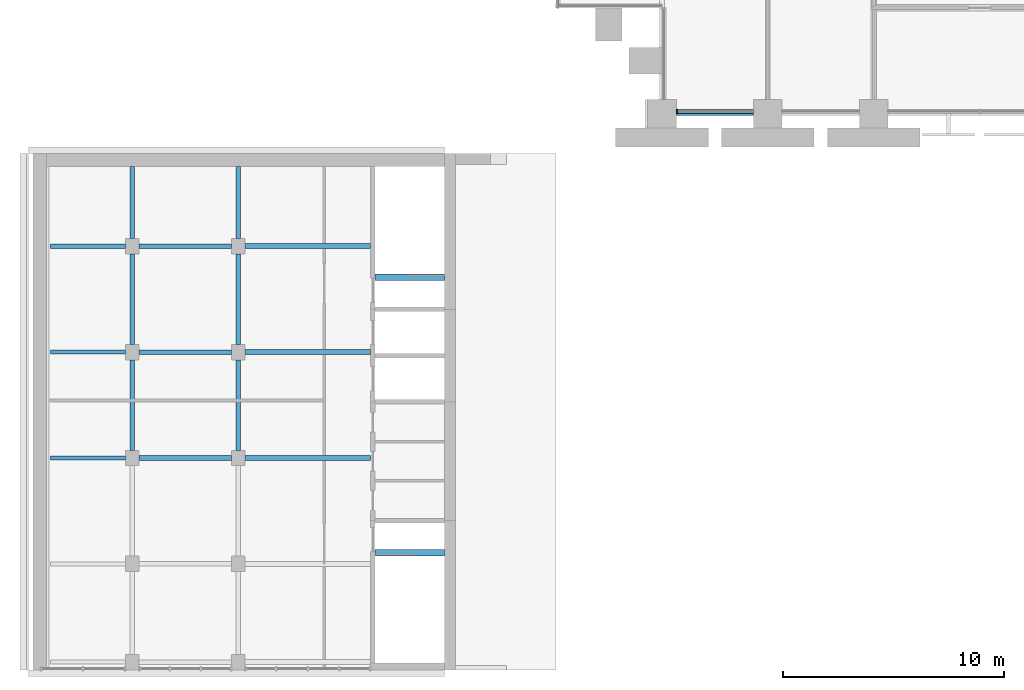
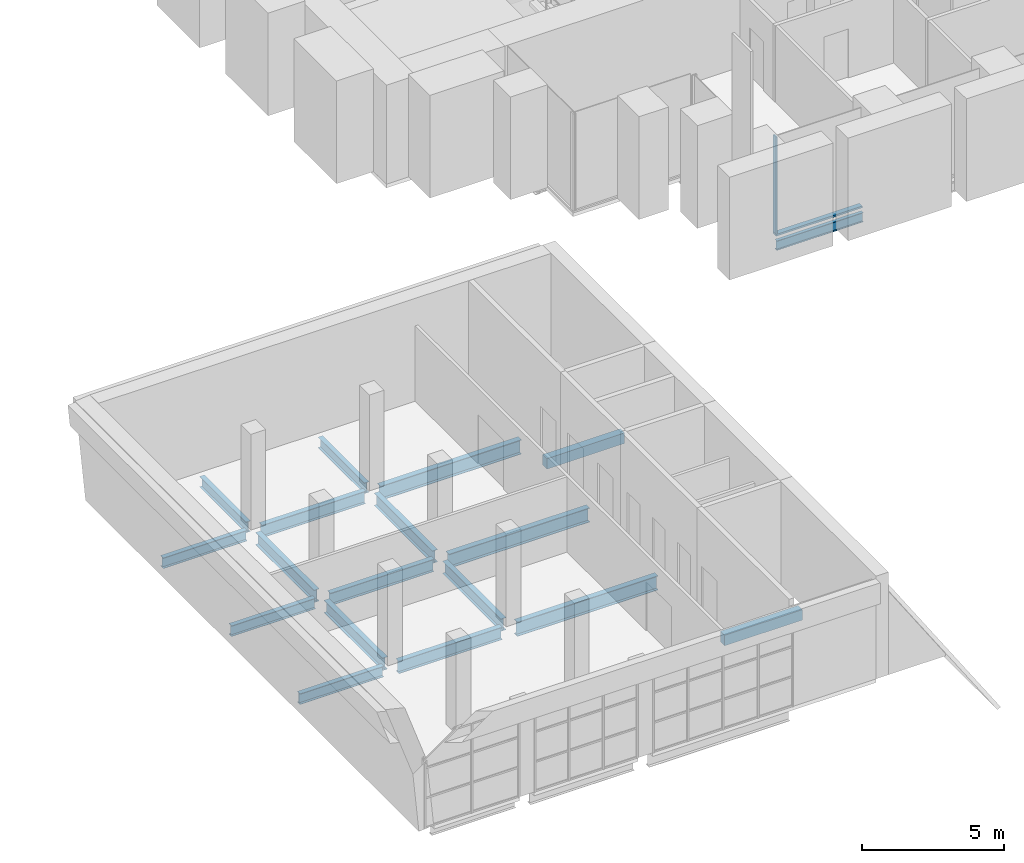
# One storey, part 4 of 22: 18 beams, 2 members, 1 element without a shape of its own.
"""IFC4 building model written with IfcOpenShell, lengths in metres."""

from ifc_helpers import new_model, si_unit, direction, frame, origin, origin_2d, place, context, subcontext, project, spatial, rectangle, i_section, extrude, material, material_profile, profile_set, type_object, element, aggregate, save


model = new_model("IFC4")

# Units and contexts
model_context = context("Model", 3, precision=1e-05, world=origin(), true_north=direction((0.0, 1.0)))
body_context = subcontext(model_context, "Body", "Model", "MODEL_VIEW")
ifc_project = project(units=[si_unit("LENGTHUNIT", "METRE"), si_unit("AREAUNIT", "SQUARE_METRE"), si_unit("VOLUMEUNIT", "CUBIC_METRE"), si_unit("PLANEANGLEUNIT", "RADIAN"), si_unit("MASSUNIT", "GRAM", prefix="KILO")], contexts=[model_context])

# Site, building, storey
site_placement = place(None, origin())
site = spatial("IfcSite", under=ifc_project, at=site_placement, CompositionType="ELEMENT")
building_placement = place(site_placement, origin())
building = spatial("IfcBuilding", under=site, at=building_placement, Name="Baori Bourse Tower", CompositionType="ELEMENT")
storey_placement = place(building_placement, frame((0.0, 0.0, 25.800048828125)))
storey = spatial("IfcBuildingStorey", under=building, at=storey_placement, Name="L04", CompositionType="ELEMENT", Elevation=25.800048828125)

# Curtain wall, members
ifc_material_1 = material(Name="Pale anodised aluminium", Category="aluminium")
curtain_wall_type = type_object("IfcCurtainWallType", Name="CW1 Curtain wall", PredefinedType="NOTDEFINED", material=ifc_material_1)
curtain_wall_placement = place(storey_placement, origin())
curtain_wall = element("IfcCurtainWall", 1, at=curtain_wall_placement, inside=storey, type_object=curtain_wall_type, Name="Curtain wall CW1 L04 11", PredefinedType="NOTDEFINED")
ifc_material_2 = material(Name="Pale anodised aluminium", Category="aluminium")
ifc_material_profile_1 = material_profile(ifc_material_2, rectangle(XDim=0.199951171875, YDim=0.06005859375, at=origin_2d()), Name="Mullion 60x200")
ifc_profile_set_1 = profile_set([ifc_material_profile_1], Name="Pale anodised aluminium")
member_type_1 = type_object("IfcMemberType", Name="CW1 Curtain wall mullion", PredefinedType="MULLION", material=ifc_profile_set_1)
member_1_placement = place(storey_placement, frame((10.280029296875, 0.10009765625, 0.079833984375), z_axis=(0.0, 0.0, 1.0), x_axis=(0.0, 1.0, 0.0)))
member_1 = element("IfcMember", 2, at=member_1_placement, type_object=member_type_1, Name="Curtain wall CW1 mullion", PredefinedType="MULLION", context=body_context, shape_type="SweptSolid", body=[
    extrude(rectangle(XDim=0.199951171875, YDim=0.06005859375, at=origin_2d()), origin(), (0.0, 0.0, 1.0), 4.16015625),
])
ifc_material_3 = material(Name="Pale anodised aluminium", Category="aluminium")
ifc_material_profile_2 = material_profile(ifc_material_3, rectangle(XDim=0.199951171875, YDim=0.080078125, at=origin_2d()), Name="Transom 80x200")
ifc_profile_set_2 = profile_set([ifc_material_profile_2], Name="Pale anodised aluminium")
member_type_2 = type_object("IfcMemberType", Name="CW1 Curtain wall transom", PredefinedType="USERDEFINED", material=ifc_profile_set_2)
member_2_placement = place(storey_placement, frame((10.25, 0.10009765625, 0.0400390625), z_axis=(1.0, 0.0, 0.0), x_axis=(0.0, 1.0, 0.0)))
member_2 = element("IfcMember", 3, at=member_2_placement, type_object=member_type_2, Name="Curtain wall CW1 sill rail", ObjectType="TRANSOM", PredefinedType="USERDEFINED", context=body_context, shape_type="SweptSolid", body=[
    extrude(rectangle(XDim=0.199951171875, YDim=0.080078125, at=origin_2d()), origin(), (0.0, 0.0, 1.0), 3.5),
])
aggregate(curtain_wall, [member_2, member_1])

# Beams
ifc_material_4 = material(Name="Steel A992 Gr 50", Category="steel")
ifc_material_profile_3 = material_profile(ifc_material_4, i_section(OverallWidth=0.140380859375, OverallDepth=0.40380859375, WebThickness=0.007080078125, FlangeThickness=0.01123046875, at=origin_2d()), Name="W16x31")
ifc_profile_set_3 = profile_set([ifc_material_profile_3], Name="Steel A992 Gr 50")
beam_type_1 = type_object("IfcBeamType", Name="Edge beam W16x31", PredefinedType="BEAM", material=ifc_profile_set_3)
beam_1_placement = place(storey_placement, frame((10.25, 0.0, -0.362060546875), z_axis=(1.0, 0.0, 0.0), x_axis=(0.0, 1.0, 0.0)))
element("IfcBeam", 4, at=beam_1_placement, inside=storey, type_object=beam_type_1, Name="Edge beam L04", PredefinedType="BEAM", context=body_context, shape_type="SweptSolid", body=[
    extrude(i_section(OverallWidth=0.140380859375, OverallDepth=0.40380859375, WebThickness=0.007080078125, FlangeThickness=0.01123046875, at=origin_2d()), origin(), (0.0, 0.0, 1.0), 3.5),
])
ifc_material_5 = material(Name="Concrete f'c 40 MPa", Category="concrete")
ifc_material_profile_4 = material_profile(ifc_material_5, rectangle(XDim=0.300048828125, YDim=0.449951171875, at=origin_2d()), Name="Stair trimmer beam 300x450")
ifc_profile_set_4 = profile_set([ifc_material_profile_4], Name="Concrete f'c 40 MPa")
beam_type_2 = type_object("IfcBeamType", Name="Stair trimmer beam 300x450", PredefinedType="BEAM", material=ifc_profile_set_4)
for number, where, z_axis, x_axis, name in (
    (5, (-0.25, -7.409912109375, -0.385009765625), (-1.0, 0.0, 0.0), (0.0, -1.0, 0.0), "wing/L04/Wtrimmer/001"),
    (6, (-3.39990234375, -19.889892578125, -0.385009765625), (1.0, 0.0, 0.0), (0.0, 1.0, 0.0), "wing/L04/Wtrimmer/002"),
):
    element("IfcBeam", number, at=place(storey_placement, frame(where, z_axis=z_axis, x_axis=x_axis)), inside=storey, type_object=beam_type_2, Name=name, PredefinedType="BEAM", context=body_context, shape_type="SweptSolid", body=[
        extrude(rectangle(XDim=0.300048828125, YDim=0.449951171875, at=origin_2d()), origin(), (0.0, 0.0, 1.0), 3.14990234375),
    ])
ifc_material_6 = material(Name="Steel A992 Gr 50", Category="steel")
ifc_material_profile_5 = material_profile(ifc_material_6, i_section(OverallWidth=0.1904296875, OverallDepth=0.457275390625, WebThickness=0.009033203125, FlangeThickness=0.014404296875, at=origin_2d()), Name="W18x50")
ifc_profile_set_5 = profile_set([ifc_material_profile_5], Name="Steel A992 Gr 50")
beam_type_3 = type_object("IfcBeamType", Name="Wing beam W18x50", PredefinedType="BEAM", material=ifc_profile_set_5)
for number, where, z_axis, x_axis, name in (
    (7, (-18.100341796875, -15.60009765625, -0.388671875), (1.0, 0.0, 0.0), (0.0, 1.0, 0.0), "wing/L04/Wbeam/007"),
    (8, (-18.100341796875, -10.800048828125, -0.388671875), (1.0, 0.0, 0.0), (0.0, 1.0, 0.0), "wing/L04/Wbeam/010"),
    (9, (-18.100341796875, -6.0, -0.388671875), (1.0, 0.0, 0.0), (0.0, 1.0, 0.0), "wing/L04/Wbeam/013"),
):
    element("IfcBeam", number, at=place(storey_placement, frame(where, z_axis=z_axis, x_axis=x_axis)), inside=storey, type_object=beam_type_3, Name=name, PredefinedType="BEAM", context=body_context, shape_type="SweptSolid", body=[
        extrude(i_section(OverallWidth=0.1904296875, OverallDepth=0.457275390625, WebThickness=0.009033203125, FlangeThickness=0.014404296875, at=origin_2d()), origin(), (0.0, 0.0, 1.0), 3.400390625),
    ])
for number, where, z_axis, x_axis, name in (
    (10, (-14.39990234375, -5.64990234375, -0.388671875), (0.0, 1.0, 0.0), (-1.0, 0.0, 0.0), "wing/L04/Wbeamy/005"),
    (11, (-9.60009765625, -5.64990234375, -0.388671875), (0.0, 1.0, 0.0), (-1.0, 0.0, 0.0), "wing/L04/Wbeamy/010"),
):
    element("IfcBeam", number, at=place(storey_placement, frame(where, z_axis=z_axis, x_axis=x_axis)), inside=storey, type_object=beam_type_3, Name=name, PredefinedType="BEAM", context=body_context, shape_type="SweptSolid", body=[
        extrude(i_section(OverallWidth=0.1904296875, OverallDepth=0.457275390625, WebThickness=0.009033203125, FlangeThickness=0.014404296875, at=origin_2d()), origin(), (0.0, 0.0, 1.0), 3.25),
    ])
ifc_material_7 = material(Name="Steel A992 Gr 50", Category="steel")
ifc_material_profile_6 = material_profile(ifc_material_7, i_section(OverallWidth=0.209228515625, OverallDepth=0.533447265625, WebThickness=0.01025390625, FlangeThickness=0.015625, at=origin_2d()), Name="W21x62")
ifc_profile_set_6 = profile_set([ifc_material_profile_6], Name="Steel A992 Gr 50")
beam_type_4 = type_object("IfcBeamType", Name="Wing beam W21x62", PredefinedType="BEAM", material=ifc_profile_set_6)
for number, where, z_axis, x_axis, name in (
    (12, (-14.10009765625, -15.60009765625, -0.4267578125), (1.0, 0.0, 0.0), (0.0, 1.0, 0.0), "wing/L04/Wbeam/008"),
    (13, (-14.10009765625, -10.800048828125, -0.4267578125), (1.0, 0.0, 0.0), (0.0, 1.0, 0.0), "wing/L04/Wbeam/011"),
    (14, (-14.10009765625, -6.0, -0.4267578125), (1.0, 0.0, 0.0), (0.0, 1.0, 0.0), "wing/L04/Wbeam/014"),
):
    element("IfcBeam", number, at=place(storey_placement, frame(where, z_axis=z_axis, x_axis=x_axis)), inside=storey, type_object=beam_type_4, Name=name, PredefinedType="BEAM", context=body_context, shape_type="SweptSolid", body=[
        extrude(i_section(OverallWidth=0.209228515625, OverallDepth=0.533447265625, WebThickness=0.01025390625, FlangeThickness=0.015625, at=origin_2d()), origin(), (0.0, 0.0, 1.0), 4.2001953125),
    ])
beam_2_placement = place(storey_placement, frame((-14.39990234375, -15.25, -0.4267578125), z_axis=(0.0, 1.0, 0.0), x_axis=(-1.0, 0.0, 0.0)))
element("IfcBeam", 15, at=beam_2_placement, inside=storey, type_object=beam_type_4, Name="wing/L04/Wbeamy/003", PredefinedType="BEAM", context=body_context, shape_type="SweptSolid", body=[
    extrude(i_section(OverallWidth=0.209228515625, OverallDepth=0.533447265625, WebThickness=0.01025390625, FlangeThickness=0.015625, at=origin_2d()), origin(), (0.0, 0.0, 1.0), 4.10009765625),
])
beam_3_placement = place(storey_placement, frame((-14.39990234375, -10.449951171875, -0.4267578125), z_axis=(0.0, 1.0, 0.0), x_axis=(-1.0, 0.0, 0.0)))
element("IfcBeam", 16, at=beam_3_placement, inside=storey, type_object=beam_type_4, Name="wing/L04/Wbeamy/004", PredefinedType="BEAM", context=body_context, shape_type="SweptSolid", body=[
    extrude(i_section(OverallWidth=0.209228515625, OverallDepth=0.533447265625, WebThickness=0.01025390625, FlangeThickness=0.015625, at=origin_2d()), origin(), (0.0, 0.0, 1.0), 4.099853515625),
])
beam_4_placement = place(storey_placement, frame((-9.60009765625, -15.25, -0.4267578125), z_axis=(0.0, 1.0, 0.0), x_axis=(-1.0, 0.0, 0.0)))
element("IfcBeam", 17, at=beam_4_placement, inside=storey, type_object=beam_type_4, Name="wing/L04/Wbeamy/008", PredefinedType="BEAM", context=body_context, shape_type="SweptSolid", body=[
    extrude(i_section(OverallWidth=0.209228515625, OverallDepth=0.533447265625, WebThickness=0.01025390625, FlangeThickness=0.015625, at=origin_2d()), origin(), (0.0, 0.0, 1.0), 4.10009765625),
])
beam_5_placement = place(storey_placement, frame((-9.60009765625, -10.449951171875, -0.4267578125), z_axis=(0.0, 1.0, 0.0), x_axis=(-1.0, 0.0, 0.0)))
element("IfcBeam", 18, at=beam_5_placement, inside=storey, type_object=beam_type_4, Name="wing/L04/Wbeamy/009", PredefinedType="BEAM", context=body_context, shape_type="SweptSolid", body=[
    extrude(i_section(OverallWidth=0.209228515625, OverallDepth=0.533447265625, WebThickness=0.01025390625, FlangeThickness=0.015625, at=origin_2d()), origin(), (0.0, 0.0, 1.0), 4.099853515625),
])
ifc_material_8 = material(Name="Steel A992 Gr 50", Category="steel")
ifc_material_profile_7 = material_profile(ifc_material_8, i_section(OverallWidth=0.22900390625, OverallDepth=0.612060546875, WebThickness=0.011962890625, FlangeThickness=0.01953125, at=origin_2d()), Name="W24x84")
ifc_profile_set_7 = profile_set([ifc_material_profile_7], Name="Steel A992 Gr 50")
beam_type_5 = type_object("IfcBeamType", Name="Wing beam W24x84", PredefinedType="BEAM", material=ifc_profile_set_7)
for number, where, z_axis, x_axis, name in (
    (19, (-9.300048828125, -15.60009765625, -0.466064453125), (1.0, 0.0, 0.0), (0.0, 1.0, 0.0), "wing/L04/Wbeam/009"),
    (20, (-9.300048828125, -10.800048828125, -0.466064453125), (1.0, 0.0, 0.0), (0.0, 1.0, 0.0), "wing/L04/Wbeam/012"),
    (21, (-9.300048828125, -6.0, -0.466064453125), (1.0, 0.0, 0.0), (0.0, 1.0, 0.0), "wing/L04/Wbeam/015"),
):
    element("IfcBeam", number, at=place(storey_placement, frame(where, z_axis=z_axis, x_axis=x_axis)), inside=storey, type_object=beam_type_5, Name=name, PredefinedType="BEAM", context=body_context, shape_type="SweptSolid", body=[
        extrude(i_section(OverallWidth=0.22900390625, OverallDepth=0.612060546875, WebThickness=0.011962890625, FlangeThickness=0.01953125, at=origin_2d()), origin(), (0.0, 0.0, 1.0), 5.699951171875),
    ])

save(model, "model.ifc")
